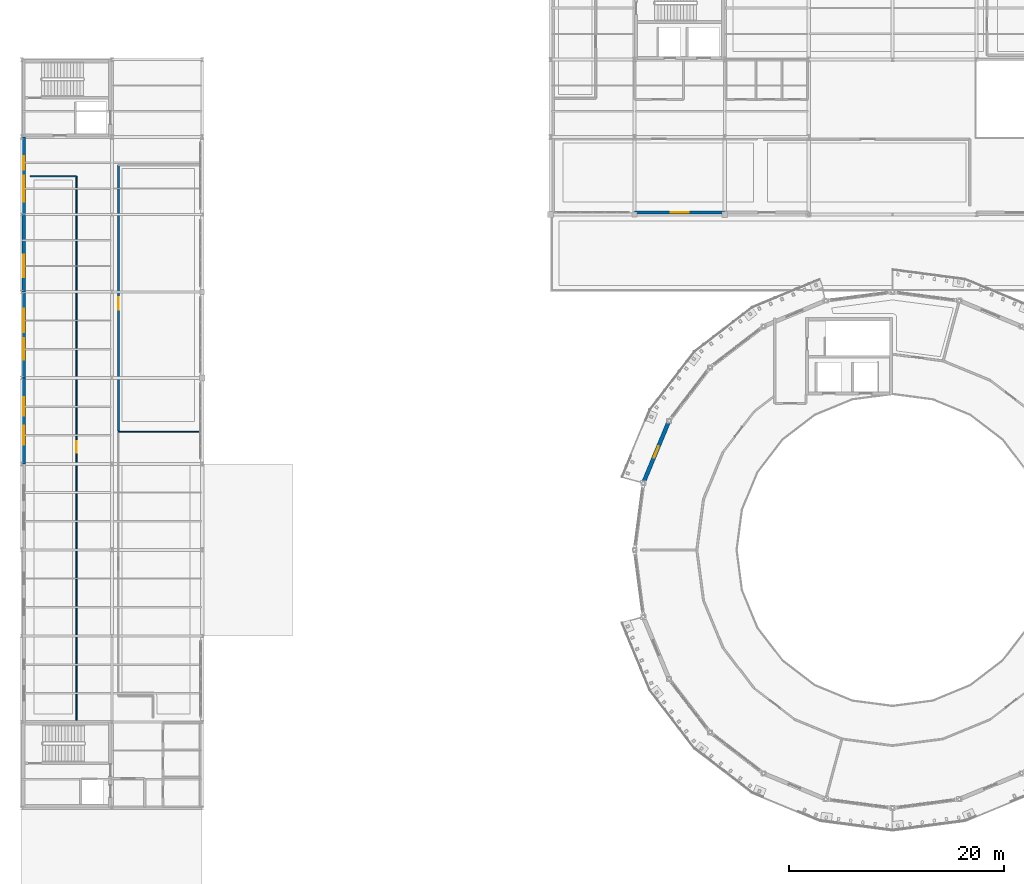
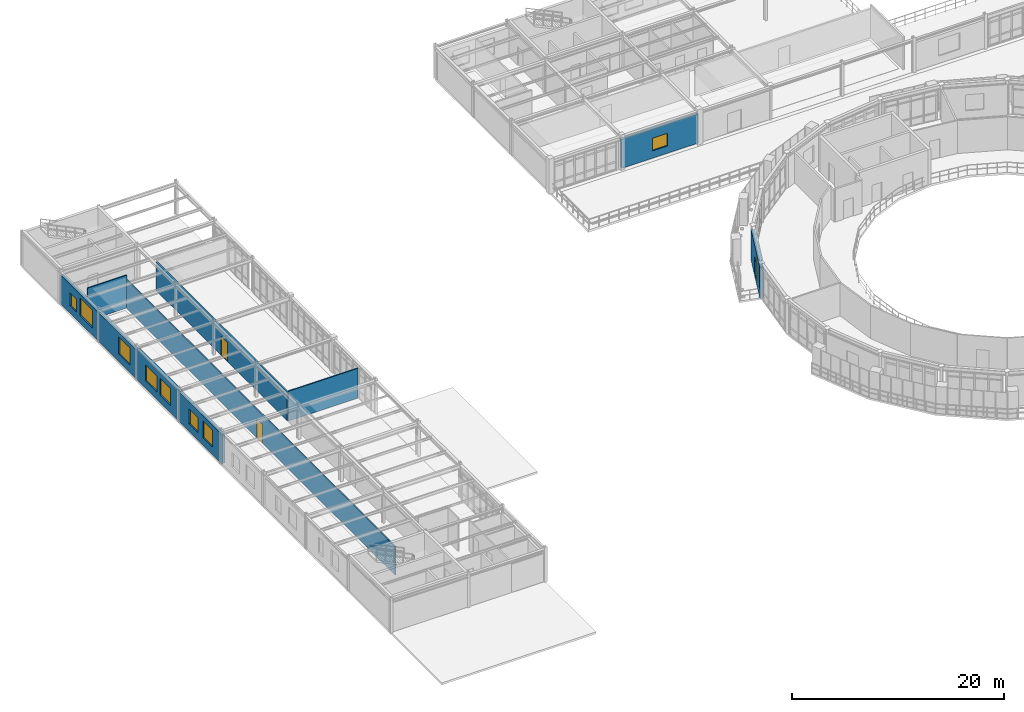
# One storey, part 44 of 58: 10 walls, 8 windows, 3 doors, 11 openings.
"""IFC4 building model written with IfcOpenShell, lengths in metres."""

from ifc_helpers import new_model, si_unit, derived_unit, direction, frame, frame_2d, origin, place, context, subcontext, project, spatial, rectangle, extrude, material, layer, layer_set, type_object, element, fill, save


model = new_model("IFC4")

# Units and contexts
model_context = context("Model", 3, precision=1e-05, world=origin(), true_north=direction((0.0, 1.0)))
body_context = subcontext(model_context, "Body", "Model", "MODEL_VIEW")
ifc_project = project(units=[si_unit("LENGTHUNIT", "METRE"), si_unit("AREAUNIT", "SQUARE_METRE"), si_unit("VOLUMEUNIT", "CUBIC_METRE"), si_unit("PLANEANGLEUNIT", "RADIAN"), si_unit("MASSUNIT", "GRAM", prefix="KILO"), derived_unit("THERMALTRANSMITTANCEUNIT", [(si_unit("POWERUNIT", "WATT"), 1), (si_unit("AREAUNIT", "SQUARE_METRE"), -1), (si_unit("THERMODYNAMICTEMPERATUREUNIT", "KELVIN"), -1)])], contexts=[model_context])

# Site, building, storey
site_placement = place(None, origin())
site = spatial("IfcSite", under=ifc_project, at=site_placement, CompositionType="ELEMENT")
building_placement = place(site_placement, origin())
building = spatial("IfcBuilding", under=site, at=building_placement, Name="Yasenodar Specialist Clinic", CompositionType="ELEMENT")
storey_placement = place(building_placement, frame((0.0, 0.0, 17.25)))
storey = spatial("IfcBuildingStorey", under=building, at=storey_placement, Name="L04", CompositionType="ELEMENT", Elevation=17.25)

# Wall, opening, door
ifc_material_1 = material(Name="Drum Insulated Terracotta Chord Wall", Category="masonry")
ifc_layer_1 = layer(ifc_material_1, 0.364990234375)
ifc_layer_set_1 = layer_set([ifc_layer_1], Name="Drum Insulated Terracotta Chord Wall")
wall_type_1 = type_object("IfcWallType", Name="EW-DRUM-365", PredefinedType="SOLIDWALL", material=ifc_layer_set_1)
wall_1_placement = place(storey_placement, frame((57.81787109375, 65.01171875, 0.0), z_axis=(0.0, 0.0, 1.0), x_axis=(0.382663829839, 0.9238876519, 0.0)))
wall_1 = element("IfcWall", 1, at=wall_1_placement, inside=storey, type_object=wall_type_1, Name="L04 Exterior Facade Wall 0035", PredefinedType="SOLIDWALL", context=body_context, shape_type="SweptSolid", body=[
    extrude(rectangle(XDim=6.26513671875, YDim=0.364990234375, at=frame_2d((3.132568359375, 0.0))), origin(), (0.0, 0.0, 1.0), 3.528076171875),
])
opening_1_placement = place(wall_1_placement, frame((2.5576171875, 0.0, 0.0)))
opening_1 = element("IfcOpeningElement", 2, at=opening_1_placement, cuts=wall_1, Name="Opening BD-02", PredefinedType="OPENING", context=body_context, shape_type="SweptSolid", body=[
    extrude(rectangle(XDim=1.14990234375, YDim=2.199951171875, at=frame_2d((0.574951171875, 1.10009765625))), frame((0.0, 0.1923828125, 0.0), z_axis=(0.0, -1.0, 0.0), x_axis=(1.0, 0.0, 0.0)), (0.0, 0.0, 1.0), 0.385009765625),
])
ifc_material_2 = material(Name="Thermally Broken Bronze Anodized Aluminium and Laminated Glass", Category="aluminium")
door_type_1 = type_object("IfcDoorType", Name="DR-BALC-115", OperationType="NOTDEFINED", PredefinedType="DOOR", material=ifc_material_2)
door_1_placement = place(opening_1_placement, origin())
door_1 = element("IfcDoor", 3, at=door_1_placement, inside=storey, type_object=door_type_1, Name="L04 Drum Balcony Access Door Sector 10", OperationType="SINGLE_SWING_RIGHT", OverallHeight=2.199951171875, OverallWidth=1.14990234375, PredefinedType="DOOR", context=body_context, shape_type="SweptSolid", body=[
    extrude(rectangle(XDim=1.14990234375, YDim=2.199951171875, at=frame_2d((0.574951171875, 1.10009765625))), frame((0.0, 0.02490234375, 0.0), z_axis=(0.0, -1.0, 0.0), x_axis=(1.0, 0.0, 0.0)), (0.0, 0.0, 1.0), 0.050048828125),
])
fill(opening_1, door_1)

# Wall, opening, window
ifc_material_3 = material(Name="Stepped Terrace Insulated Terracotta Wall", Category="masonry")
ifc_layer_2 = layer(ifc_material_3, 0.294921875)
ifc_layer_set_2 = layer_set([ifc_layer_2], Name="Stepped Terrace Insulated Terracotta Wall")
wall_type_2 = type_object("IfcWallType", Name="EW-TERR-295", PredefinedType="SOLIDWALL", material=ifc_layer_set_2)
wall_2_placement = place(storey_placement, frame((65.39990234375, 90.169921875, 0.0), z_axis=(0.0, 0.0, 1.0), x_axis=(-1.0, 0.0, 0.0)))
wall_2 = element("IfcWall", 4, at=wall_2_placement, inside=storey, type_object=wall_type_2, Name="L04 Exterior Facade Wall 0148", PredefinedType="SOLIDWALL", context=body_context, shape_type="SweptSolid", body=[
    extrude(rectangle(XDim=8.39990234375, YDim=0.294921875, at=frame_2d((4.199951171875, 0.0))), origin(), (0.0, 0.0, 1.0), 3.327880859375),
])
opening_2_placement = place(wall_2_placement, frame((3.375, 0.0, 0.85009765625)))
opening_2 = element("IfcOpeningElement", 5, at=opening_2_placement, cuts=wall_2, Name="Opening W-20", PredefinedType="OPENING", context=body_context, shape_type="SweptSolid", body=[
    extrude(rectangle(XDim=1.64990234375, YDim=1.449951171875, at=frame_2d((0.824951171875, 0.72509765625))), frame((0.0, 0.157470703125, 0.0), z_axis=(0.0, -1.0, 0.0), x_axis=(1.0, 0.0, 0.0)), (0.0, 0.0, 1.0), 0.31494140625),
])
ifc_material_4 = material(Name="Triple Low-E Argon Glazing in Bronze Aluminium Frame", Category="aluminium")
window_type_1 = type_object("IfcWindowType", Name="WIN-EXT-20", PartitioningType="SINGLE_PANEL", PredefinedType="WINDOW", material=ifc_material_4)
window_1_placement = place(opening_2_placement, origin())
window_1 = element("IfcWindow", 6, at=window_1_placement, inside=storey, type_object=window_type_1, Name="L04 Triple-Glazed Reveal Window 0163", OverallHeight=1.449951171875, OverallWidth=1.64990234375, PartitioningType="SINGLE_PANEL", PredefinedType="WINDOW", context=body_context, shape_type="SweptSolid", body=[
    extrude(rectangle(XDim=1.64990234375, YDim=1.449951171875, at=frame_2d((0.824951171875, 0.72509765625))), frame((0.0, 0.030029296875, 0.0), z_axis=(0.0, -1.0, 0.0), x_axis=(1.0, 0.0, 0.0)), (0.0, 0.0, 1.0), 0.06005859375),
])
fill(opening_2, window_1)

# Wall, openings, windows
ifc_material_5 = material(Name="Buff Architectural Terracotta Rainscreen", Category="masonry")
ifc_layer_3 = layer(ifc_material_5, 0.340087890625)
ifc_layer_set_3 = layer_set([ifc_layer_3], Name="Buff Architectural Terracotta Rainscreen")
wall_type_3 = type_object("IfcWallType", Name="EW-TERR-340", PredefinedType="SOLIDWALL", material=ifc_layer_set_3)
wall_3_placement = place(storey_placement, frame((0.199951171875, 66.800048828125, 0.0), z_axis=(0.0, 0.0, 1.0), x_axis=(0.0, 1.0, 0.0)))
wall_3 = element("IfcWall", 7, at=wall_3_placement, inside=storey, type_object=wall_type_3, Name="L04 Exterior Facade Wall 0122", PredefinedType="SOLIDWALL", context=body_context, shape_type="SweptSolid", body=[
    extrude(rectangle(XDim=8.0, YDim=0.340087890625, at=frame_2d((4.0, 0.0))), origin(), (0.0, 0.0, 1.0), 3.387939453125),
])
opening_3_placement = place(wall_3_placement, frame((1.7666015625, 0.0, 0.85009765625)))
opening_3 = element("IfcOpeningElement", 8, at=opening_3_placement, cuts=wall_3, Name="Opening W-05", PredefinedType="OPENING", context=body_context, shape_type="SweptSolid", body=[
    extrude(rectangle(XDim=1.800048828125, YDim=1.949951171875, at=frame_2d((0.89990234375, 0.97509765625))), frame((0.0, 0.18017578125, 0.0), z_axis=(0.0, -1.0, 0.0), x_axis=(1.0, 0.0, 0.0)), (0.0, 0.0, 1.0), 0.360107421875),
])
opening_4_placement = place(wall_3_placement, frame((4.4833984375, 0.0, 0.85009765625)))
opening_4 = element("IfcOpeningElement", 9, at=opening_4_placement, cuts=wall_3, Name="Opening W-12", PredefinedType="OPENING", context=body_context, shape_type="SweptSolid", body=[
    extrude(rectangle(XDim=1.699951171875, YDim=1.75, at=frame_2d((0.85009765625, 0.875))), frame((0.0, 0.18017578125, 0.0), z_axis=(0.0, -1.0, 0.0), x_axis=(1.0, 0.0, 0.0)), (0.0, 0.0, 1.0), 0.360107421875),
])
window_type_2 = type_object("IfcWindowType", Name="WIN-EXT-05", PartitioningType="SINGLE_PANEL", PredefinedType="WINDOW", material=ifc_material_4)
window_2_placement = place(opening_3_placement, origin())
window_2 = element("IfcWindow", 10, at=window_2_placement, inside=storey, type_object=window_type_2, Name="L04 Triple-Glazed Reveal Window 0130", OverallHeight=1.949951171875, OverallWidth=1.800048828125, PartitioningType="SINGLE_PANEL", PredefinedType="WINDOW", context=body_context, shape_type="SweptSolid", body=[
    extrude(rectangle(XDim=1.800048828125, YDim=1.949951171875, at=frame_2d((0.89990234375, 0.97509765625))), frame((0.0, 0.030029296875, 0.0), z_axis=(0.0, -1.0, 0.0), x_axis=(1.0, 0.0, 0.0)), (0.0, 0.0, 1.0), 0.06005859375),
])
fill(opening_3, window_2)
window_type_3 = type_object("IfcWindowType", Name="WIN-EXT-12", PartitioningType="SINGLE_PANEL", PredefinedType="WINDOW", material=ifc_material_4)
window_3_placement = place(opening_4_placement, origin())
window_3 = element("IfcWindow", 11, at=window_3_placement, inside=storey, type_object=window_type_3, Name="L04 Triple-Glazed Reveal Window 0131", OverallHeight=1.75, OverallWidth=1.699951171875, PartitioningType="SINGLE_PANEL", PredefinedType="WINDOW", context=body_context, shape_type="SweptSolid", body=[
    extrude(rectangle(XDim=1.699951171875, YDim=1.75, at=frame_2d((0.85009765625, 0.875))), frame((0.0, 0.030029296875, 0.0), z_axis=(0.0, -1.0, 0.0), x_axis=(1.0, 0.0, 0.0)), (0.0, 0.0, 1.0), 0.06005859375),
])
fill(opening_4, window_3)

wall_4_placement = place(storey_placement, frame((0.199951171875, 74.800048828125, 0.0), z_axis=(0.0, 0.0, 1.0), x_axis=(0.0, 1.0, 0.0)))
wall_4 = element("IfcWall", 12, at=wall_4_placement, inside=storey, type_object=wall_type_3, Name="L04 Exterior Facade Wall 0123", PredefinedType="SOLIDWALL", context=body_context, shape_type="SweptSolid", body=[
    extrude(rectangle(XDim=8.0, YDim=0.340087890625, at=frame_2d((4.0, 0.0))), origin(), (0.0, 0.0, 1.0), 3.508056640625),
])
opening_5_placement = place(wall_4_placement, frame((1.666748046875, 0.0, 0.85009765625)))
opening_5 = element("IfcOpeningElement", 13, at=opening_5_placement, cuts=wall_4, Name="Opening W-06", PredefinedType="OPENING", context=body_context, shape_type="SweptSolid", body=[
    extrude(rectangle(XDim=2.0, YDim=1.949951171875, at=frame_2d((1.0, 0.97509765625))), frame((0.0, 0.18017578125, 0.0), z_axis=(0.0, -1.0, 0.0), x_axis=(1.0, 0.0, 0.0)), (0.0, 0.0, 1.0), 0.360107421875),
])
opening_6_placement = place(wall_4_placement, frame((4.2333984375, 0.0, 0.85009765625)))
opening_6 = element("IfcOpeningElement", 14, at=opening_6_placement, cuts=wall_4, Name="Opening W-13", PredefinedType="OPENING", context=body_context, shape_type="SweptSolid", body=[
    extrude(rectangle(XDim=2.199951171875, YDim=1.85009765625, at=frame_2d((1.10009765625, 0.925048828125))), frame((0.0, 0.18017578125, 0.0), z_axis=(0.0, -1.0, 0.0), x_axis=(1.0, 0.0, 0.0)), (0.0, 0.0, 1.0), 0.360107421875),
])
window_type_4 = type_object("IfcWindowType", Name="WIN-EXT-06", PartitioningType="SINGLE_PANEL", PredefinedType="WINDOW", material=ifc_material_4)
window_4_placement = place(opening_5_placement, origin())
window_4 = element("IfcWindow", 15, at=window_4_placement, inside=storey, type_object=window_type_4, Name="L04 Triple-Glazed Reveal Window 0132", OverallHeight=1.949951171875, OverallWidth=2.0, PartitioningType="SINGLE_PANEL", PredefinedType="WINDOW", context=body_context, shape_type="SweptSolid", body=[
    extrude(rectangle(XDim=2.0, YDim=1.949951171875, at=frame_2d((1.0, 0.97509765625))), frame((0.0, 0.030029296875, 0.0), z_axis=(0.0, -1.0, 0.0), x_axis=(1.0, 0.0, 0.0)), (0.0, 0.0, 1.0), 0.06005859375),
])
fill(opening_5, window_4)
window_type_5 = type_object("IfcWindowType", Name="WIN-EXT-13", PartitioningType="SINGLE_PANEL", PredefinedType="WINDOW", material=ifc_material_4)
window_5_placement = place(opening_6_placement, origin())
window_5 = element("IfcWindow", 16, at=window_5_placement, inside=storey, type_object=window_type_5, Name="L04 Triple-Glazed Reveal Window 0133", OverallHeight=1.85009765625, OverallWidth=2.199951171875, PartitioningType="SINGLE_PANEL", PredefinedType="WINDOW", context=body_context, shape_type="SweptSolid", body=[
    extrude(rectangle(XDim=2.199951171875, YDim=1.85009765625, at=frame_2d((1.10009765625, 0.925048828125))), frame((0.0, 0.030029296875, 0.0), z_axis=(0.0, -1.0, 0.0), x_axis=(1.0, 0.0, 0.0)), (0.0, 0.0, 1.0), 0.06005859375),
])
fill(opening_6, window_5)

# Wall, opening, window
wall_5_placement = place(storey_placement, frame((0.199951171875, 82.800048828125, 0.0), z_axis=(0.0, 0.0, 1.0), x_axis=(0.0, 1.0, 0.0)))
wall_5 = element("IfcWall", 17, at=wall_5_placement, inside=storey, type_object=wall_type_3, Name="L04 Exterior Facade Wall 0124", PredefinedType="SOLIDWALL", context=body_context, shape_type="SweptSolid", body=[
    extrude(rectangle(XDim=7.199951171875, YDim=0.340087890625, at=frame_2d((3.60009765625, 0.0))), origin(), (0.0, 0.0, 1.0), 3.327880859375),
])
opening_7_placement = place(wall_5_placement, frame((1.35009765625, 0.0, 0.85009765625)))
opening_7 = element("IfcOpeningElement", 18, at=opening_7_placement, cuts=wall_5, Name="Opening W-07", PredefinedType="OPENING", context=body_context, shape_type="SweptSolid", body=[
    extrude(rectangle(XDim=2.10009765625, YDim=2.0, at=frame_2d((1.050048828125, 1.0))), frame((0.0, 0.18017578125, 0.0), z_axis=(0.0, -1.0, 0.0), x_axis=(1.0, 0.0, 0.0)), (0.0, 0.0, 1.0), 0.360107421875),
])
window_type_6 = type_object("IfcWindowType", Name="WIN-EXT-07", PartitioningType="SINGLE_PANEL", PredefinedType="WINDOW", material=ifc_material_4)
window_6_placement = place(opening_7_placement, origin())
window_6 = element("IfcWindow", 19, at=window_6_placement, inside=storey, type_object=window_type_6, Name="L04 Triple-Glazed Reveal Window 0134", OverallHeight=2.0, OverallWidth=2.10009765625, PartitioningType="SINGLE_PANEL", PredefinedType="WINDOW", context=body_context, shape_type="SweptSolid", body=[
    extrude(rectangle(XDim=2.10009765625, YDim=2.0, at=frame_2d((1.050048828125, 1.0))), frame((0.0, 0.030029296875, 0.0), z_axis=(0.0, -1.0, 0.0), x_axis=(1.0, 0.0, 0.0)), (0.0, 0.0, 1.0), 0.06005859375),
])
fill(opening_7, window_6)

# Wall, openings, windows
wall_6_placement = place(storey_placement, frame((0.199951171875, 90.0, 0.0), z_axis=(0.0, 0.0, 1.0), x_axis=(0.0, 1.0, 0.0)))
wall_6 = element("IfcWall", 20, at=wall_6_placement, inside=storey, type_object=wall_type_3, Name="L04 Exterior Facade Wall 0125", PredefinedType="SOLIDWALL", context=body_context, shape_type="SweptSolid", body=[
    extrude(rectangle(XDim=7.199951171875, YDim=0.340087890625, at=frame_2d((3.60009765625, 0.0))), origin(), (0.0, 0.0, 1.0), 3.327880859375),
])
opening_8_placement = place(wall_6_placement, frame((1.199951171875, 0.0, 0.85009765625)))
opening_8 = element("IfcOpeningElement", 21, at=opening_8_placement, cuts=wall_6, Name="Opening W-08", PredefinedType="OPENING", context=body_context, shape_type="SweptSolid", body=[
    extrude(rectangle(XDim=2.39990234375, YDim=2.050048828125, at=frame_2d((1.199951171875, 1.02490234375))), frame((0.0, 0.18017578125, 0.0), z_axis=(0.0, -1.0, 0.0), x_axis=(1.0, 0.0, 0.0)), (0.0, 0.0, 1.0), 0.360107421875),
])
opening_9_placement = place(wall_6_placement, frame((4.175048828125, 0.0, 0.85009765625)))
opening_9 = element("IfcOpeningElement", 22, at=opening_9_placement, cuts=wall_6, Name="Opening W-15", PredefinedType="OPENING", context=body_context, shape_type="SweptSolid", body=[
    extrude(rectangle(XDim=1.25, YDim=1.5, at=frame_2d((0.625, 0.75))), frame((0.0, 0.18017578125, 0.0), z_axis=(0.0, -1.0, 0.0), x_axis=(1.0, 0.0, 0.0)), (0.0, 0.0, 1.0), 0.360107421875),
])
window_type_7 = type_object("IfcWindowType", Name="WIN-EXT-08", PartitioningType="SINGLE_PANEL", PredefinedType="WINDOW", material=ifc_material_4)
window_7_placement = place(opening_8_placement, origin())
window_7 = element("IfcWindow", 23, at=window_7_placement, inside=storey, type_object=window_type_7, Name="L04 Triple-Glazed Reveal Window 0135", OverallHeight=2.050048828125, OverallWidth=2.39990234375, PartitioningType="SINGLE_PANEL", PredefinedType="WINDOW", context=body_context, shape_type="SweptSolid", body=[
    extrude(rectangle(XDim=2.39990234375, YDim=2.050048828125, at=frame_2d((1.199951171875, 1.02490234375))), frame((0.0, 0.030029296875, 0.0), z_axis=(0.0, -1.0, 0.0), x_axis=(1.0, 0.0, 0.0)), (0.0, 0.0, 1.0), 0.06005859375),
])
fill(opening_8, window_7)
window_type_8 = type_object("IfcWindowType", Name="WIN-EXT-15", PartitioningType="SINGLE_PANEL", PredefinedType="WINDOW", material=ifc_material_4)
window_8_placement = place(opening_9_placement, origin())
window_8 = element("IfcWindow", 24, at=window_8_placement, inside=storey, type_object=window_type_8, Name="L04 Triple-Glazed Reveal Window 0136", OverallHeight=1.5, OverallWidth=1.25, PartitioningType="SINGLE_PANEL", PredefinedType="WINDOW", context=body_context, shape_type="SweptSolid", body=[
    extrude(rectangle(XDim=1.25, YDim=1.5, at=frame_2d((0.625, 0.75))), frame((0.0, 0.030029296875, 0.0), z_axis=(0.0, -1.0, 0.0), x_axis=(1.0, 0.0, 0.0)), (0.0, 0.0, 1.0), 0.06005859375),
])
fill(opening_9, window_8)

# Wall
ifc_material_6 = material(Name="Lightweight Counseling Partition")
ifc_layer_4 = layer(ifc_material_6, 0.114990234375)
ifc_layer_set_4 = layer_set([ifc_layer_4], Name="Lightweight Counseling Partition")
wall_type_4 = type_object("IfcWallType", Name="IW-PART-115", PredefinedType="PARTITIONING", material=ifc_layer_set_4)
wall_7_placement = place(storey_placement, frame((9.0, 69.800048828125, 0.0), z_axis=(0.0, 0.0, 1.0), x_axis=(1.0, 0.0, 0.0)))
element("IfcWall", 25, at=wall_7_placement, inside=storey, type_object=wall_type_4, Name="L04 Urology Diagnostic Clinic Partition", PredefinedType="PARTITIONING", context=body_context, shape_type="SweptSolid", body=[
    extrude(rectangle(XDim=7.590087890625, YDim=0.114990234375, at=frame_2d((3.794921875, 0.0))), origin(), (0.0, 0.0, 1.0), 3.43798828125),
])

# Wall, opening, door
ifc_material_7 = material(Name="Clinical Sub-Division Partition")
ifc_layer_5 = layer(ifc_material_7, 0.125)
ifc_layer_set_5 = layer_set([ifc_layer_5], Name="Clinical Sub-Division Partition")
wall_type_5 = type_object("IfcWallType", Name="IW-PART-125", PredefinedType="PARTITIONING", material=ifc_layer_set_5)
wall_8_placement = place(storey_placement, frame((5.10009765625, 42.780029296875, 0.0), z_axis=(0.0, 0.0, 1.0), x_axis=(0.0, 1.0, 0.0)))
wall_8 = element("IfcWall", 26, at=wall_8_placement, inside=storey, type_object=wall_type_5, Name="L04 Dermatology Outpatient Suite Partition", PredefinedType="PARTITIONING", context=body_context, shape_type="SweptSolid", body=[
    extrude(rectangle(XDim=50.77001953125, YDim=0.125, at=frame_2d((25.385009765625, 0.0))), origin(), (0.0, 0.0, 1.0), 3.278076171875),
])
opening_10_placement = place(wall_8_placement, frame((25.044921875, 0.0, 0.0)))
opening_10 = element("IfcOpeningElement", 27, at=opening_10_placement, cuts=wall_8, Name="Opening D-04", PredefinedType="OPENING", context=body_context, shape_type="SweptSolid", body=[
    extrude(rectangle(XDim=1.06005859375, YDim=2.159912109375, at=frame_2d((0.530029296875, 1.080078125))), frame((0.0, 0.072509765625, 0.0), z_axis=(0.0, -1.0, 0.0), x_axis=(1.0, 0.0, 0.0)), (0.0, 0.0, 1.0), 0.14501953125),
])
ifc_material_8 = material(Name="Powder-Coated Steel and Acoustic Laminate Leaf", Category="steel")
door_type_2 = type_object("IfcDoorType", Name="DR-CLN-106", OperationType="NOTDEFINED", PredefinedType="DOOR", material=ifc_material_8)
door_2_placement = place(opening_10_placement, origin())
door_2 = element("IfcDoor", 28, at=door_2_placement, inside=storey, type_object=door_type_2, Name="L04 Dermatology Outpatient Suite Door", OperationType="SINGLE_SWING_LEFT", OverallHeight=2.159912109375, OverallWidth=1.06005859375, PredefinedType="DOOR", context=body_context, shape_type="SweptSolid", body=[
    extrude(rectangle(XDim=1.06005859375, YDim=2.159912109375, at=frame_2d((0.530029296875, 1.080078125))), frame((0.0, 0.02490234375, 0.0), z_axis=(0.0, -1.0, 0.0), x_axis=(1.0, 0.0, 0.0)), (0.0, 0.0, 1.0), 0.050048828125),
])
fill(opening_10, door_2)

# Wall
wall_9_placement = place(storey_placement, frame((5.10009765625, 93.550048828125, 0.0), z_axis=(0.0, 0.0, 1.0), x_axis=(-1.0, 0.0, 0.0)))
element("IfcWall", 29, at=wall_9_placement, inside=storey, type_object=wall_type_5, Name="L04 Dermatology Outpatient Suite Partition", PredefinedType="PARTITIONING", context=body_context, shape_type="SweptSolid", body=[
    extrude(rectangle(XDim=4.300048828125, YDim=0.125, at=frame_2d((2.14990234375, 0.0))), origin(), (0.0, 0.0, 1.0), 3.780029296875),
])

# Wall, opening, door
ifc_material_9 = material(Name="Hygienic Double-Stud Clinical Partition")
ifc_layer_6 = layer(ifc_material_9, 0.179931640625)
ifc_layer_set_6 = layer_set([ifc_layer_6], Name="Hygienic Double-Stud Clinical Partition")
wall_type_6 = type_object("IfcWallType", Name="IW-PROC-180", PredefinedType="PARTITIONING", material=ifc_layer_set_6)
wall_10_placement = place(storey_placement, frame((9.0, 94.60009765625, 0.0), z_axis=(0.0, 0.0, 1.0), x_axis=(0.0, -1.0, 0.0)))
wall_10 = element("IfcWall", 30, at=wall_10_placement, inside=storey, type_object=wall_type_6, Name="L04 Women's Health Consulting Suite Partition", PredefinedType="PARTITIONING", context=body_context, shape_type="SweptSolid", body=[
    extrude(rectangle(XDim=24.7626953125, YDim=0.179931640625, at=frame_2d((12.38134765625, 0.0))), origin(), (0.0, 0.0, 1.0), 3.278076171875),
])
opening_11_placement = place(wall_10_placement, frame((12.300048828125, 0.0, 0.0)))
opening_11 = element("IfcOpeningElement", 31, at=opening_11_placement, cuts=wall_10, Name="Opening D-06", PredefinedType="OPENING", context=body_context, shape_type="SweptSolid", body=[
    extrude(rectangle(XDim=1.179931640625, YDim=2.199951171875, at=frame_2d((0.58984375, 1.10009765625))), frame((0.0, 0.10009765625, 0.0), z_axis=(0.0, -1.0, 0.0), x_axis=(1.0, 0.0, 0.0)), (0.0, 0.0, 1.0), 0.199951171875),
])
door_type_3 = type_object("IfcDoorType", Name="DR-CLN-118", OperationType="NOTDEFINED", PredefinedType="DOOR", material=ifc_material_8)
door_3_placement = place(opening_11_placement, origin())
door_3 = element("IfcDoor", 32, at=door_3_placement, inside=storey, type_object=door_type_3, Name="L04 Women's Health Consulting Suite Door", OperationType="SINGLE_SWING_LEFT", OverallHeight=2.199951171875, OverallWidth=1.179931640625, PredefinedType="DOOR", context=body_context, shape_type="SweptSolid", body=[
    extrude(rectangle(XDim=1.179931640625, YDim=2.199951171875, at=frame_2d((0.58984375, 1.10009765625))), frame((0.0, 0.02490234375, 0.0), z_axis=(0.0, -1.0, 0.0), x_axis=(1.0, 0.0, 0.0)), (0.0, 0.0, 1.0), 0.050048828125),
])
fill(opening_11, door_3)

save(model, "model.ifc")
